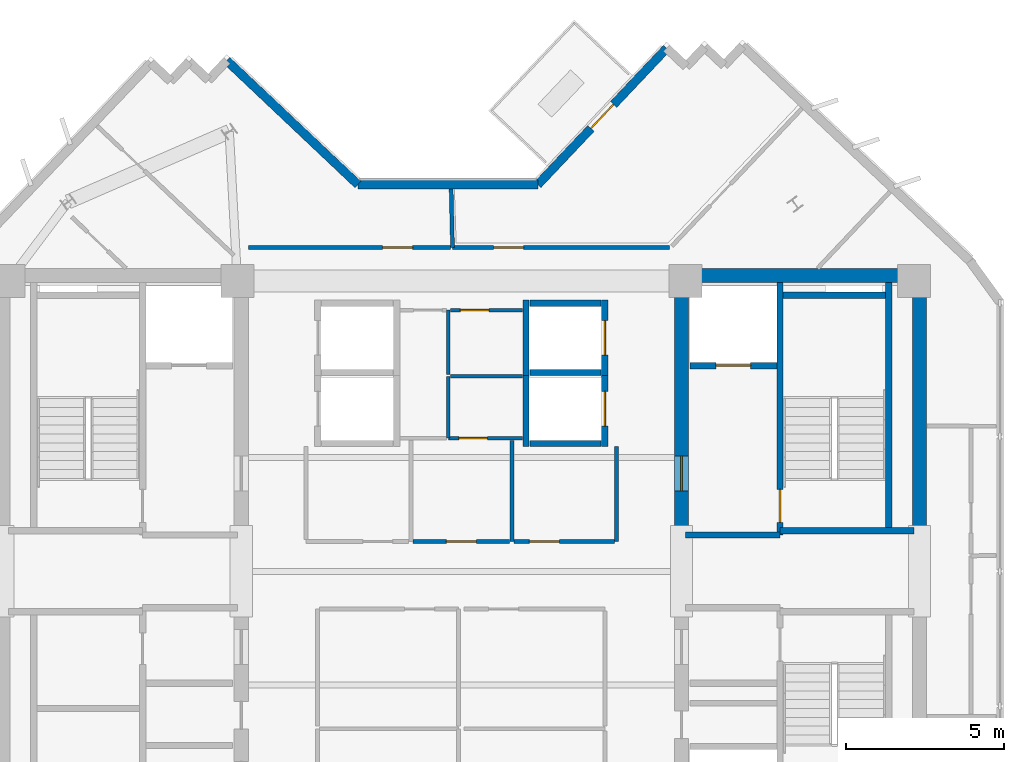
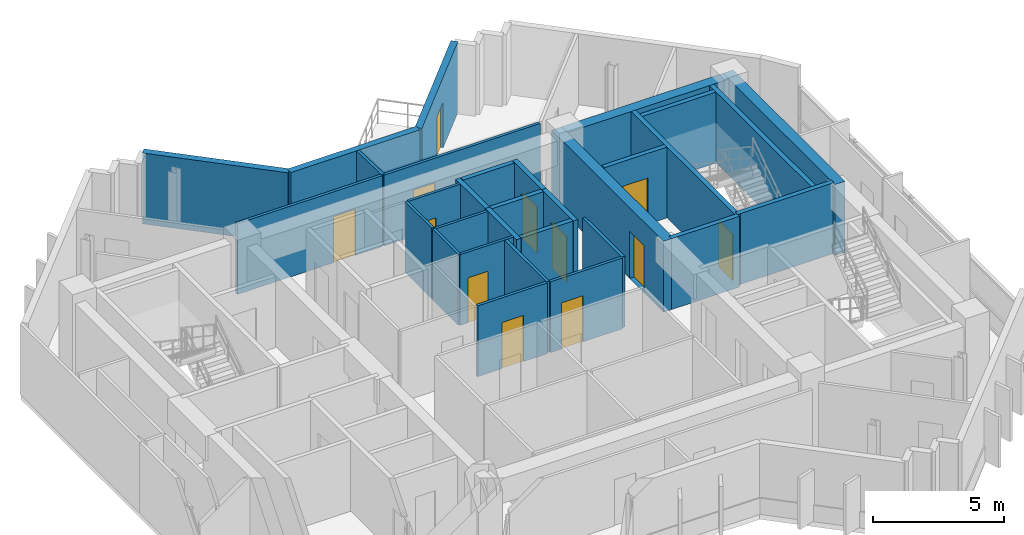
# One storey, part 6 of 9: 31 walls, 12 doors, 12 openings.
"""IFC4 building model written with IfcOpenShell, lengths in metres."""

from ifc_helpers import new_model, si_unit, direction, frame, frame_2d, origin, place, context, subcontext, project, spatial, rectangle, extrude, source, transform, mapped, material, layer, layer_set, type_object, element, fill, save


model = new_model("IFC4")

# Units and contexts
model_context = context("Model", 3, precision=1e-05, world=origin(), true_north=direction((0.0, 1.0)))
body_context = subcontext(model_context, "Body", "Model", "MODEL_VIEW")
ifc_project = project(units=[si_unit("LENGTHUNIT", "METRE"), si_unit("AREAUNIT", "SQUARE_METRE"), si_unit("VOLUMEUNIT", "CUBIC_METRE"), si_unit("PLANEANGLEUNIT", "RADIAN"), si_unit("MASSUNIT", "GRAM", prefix="KILO")], contexts=[model_context])

# Site, building, storey
site_placement = place(None, origin())
site = spatial("IfcSite", under=ifc_project, at=site_placement, CompositionType="ELEMENT")
building_placement = place(site_placement, origin())
building = spatial("IfcBuilding", under=site, at=building_placement, Name="Zahravan Cultural Tower", CompositionType="ELEMENT")
storey_placement = place(building_placement, frame((0.0, 0.0, 310.35009765625)))
storey = spatial("IfcBuildingStorey", under=building, at=storey_placement, Name="L75", CompositionType="ELEMENT", Elevation=310.35009765625)

# Wall, opening, door
ifc_material_1 = material(Name="Concrete C50/60", Category="concrete")
ifc_layer_1 = layer(ifc_material_1, 0.449951171875)
ifc_layer_set_1 = layer_set([ifc_layer_1], Name="Concrete C50/60")
wall_type_1 = type_object("IfcWallType", Name="CW-SHEAR-450-C50", PredefinedType="SHEAR", material=ifc_layer_set_1)
wall_1_placement = place(storey_placement, frame((42.97509765625, 28.050048828125, 0.0), z_axis=(0.0, 0.0, 1.0), x_axis=(0.0, 1.0, 0.0)))
wall_1 = element("IfcWall", 1, at=wall_1_placement, inside=storey, type_object=wall_type_1, Name="L75 Core Shear Wall CW-E-WN-L75", PredefinedType="SHEAR", context=body_context, shape_type="SweptSolid", body=[
    extrude(rectangle(XDim=8.550048828125, YDim=0.449951171875, at=frame_2d((4.27490234375, 0.0))), origin(), (0.0, 0.0, 1.0), 3.2998046875),
])
opening_1_placement = place(wall_1_placement, frame((1.5, 0.0, 0.0)))
opening_1 = element("IfcOpeningElement", 2, at=opening_1_placement, cuts=wall_1, Name="Opening D-L75-07", PredefinedType="OPENING", context=body_context, shape_type="SweptSolid", body=[
    extrude(rectangle(XDim=1.10009765625, YDim=2.199951171875, at=frame_2d((0.550048828125, 1.10009765625))), frame((0.0, 0.23486328125, 0.0), z_axis=(0.0, -1.0, 0.0), x_axis=(1.0, 0.0, 0.0)), (0.0, 0.0, 1.0), 0.469970703125),
])
ifc_material_2 = material(Name="Steel ASTM A572 Grade 50", Category="steel")
door_type_1 = type_object("IfcDoorType", Name="DR-LOBBY-1100", OperationType="NOTDEFINED", PredefinedType="DOOR", material=ifc_material_2)
shared_shape_1 = source(origin(), body_context, "Body", "SweptSolid", [
    extrude(rectangle(XDim=1.10009765625, YDim=2.199951171875, at=frame_2d((0.550048828125, 1.10009765625))), frame((0.0, 0.02490234375, 0.0), z_axis=(0.0, -1.0, 0.0), x_axis=(1.0, 0.0, 0.0)), (0.0, 0.0, 1.0), 0.050048828125),
])
door_1_placement = place(opening_1_placement, origin())
door_1 = element("IfcDoor", 3, at=door_1_placement, inside=storey, type_object=door_type_1, Name="L75 Door D-L75-07", OperationType="SINGLE_SWING_LEFT", OverallHeight=2.199951171875, OverallWidth=1.10009765625, PredefinedType="DOOR", context=body_context, shape_type="MappedRepresentation", body=[
    mapped(shared_shape_1, transform((0.0, 0.0, 0.0), x_axis=(1.0, 0.0, 0.0), y_axis=(0.0, 1.0, 0.0), z_axis=(0.0, 0.0, 1.0), scale=1.0)),
])
fill(opening_1, door_1)

ifc_material_3 = material(Name="Precast concrete C40/50", Category="concrete")
ifc_layer_2 = layer(ifc_material_3, 0.280029296875)
ifc_layer_set_2 = layer_set([ifc_layer_2], Name="Precast concrete C40/50")
wall_type_2 = type_object("IfcWallType", Name="EW-TC-280", PredefinedType="SOLIDWALL", material=ifc_layer_set_2)
wall_2_placement = place(storey_placement, frame((38.423095703125, 39.260009765625, 0.0), z_axis=(0.0, 0.0, 1.0), x_axis=(0.686888766374, 0.72676256276, 0.0)))
wall_2 = element("IfcWall", 4, at=wall_2_placement, inside=storey, type_object=wall_type_2, Name="L75 Exterior Masonry Frame Wall 01", PredefinedType="SOLIDWALL", context=body_context, shape_type="SweptSolid", body=[
    extrude(rectangle(XDim=5.9453125, YDim=0.280029296875, at=frame_2d((2.97265625, 0.0))), origin(), (0.0, 0.0, 1.0), 3.2998046875),
])
opening_2_placement = place(wall_2_placement, frame((2.447998046875, 0.0, 0.0)))
opening_2 = element("IfcOpeningElement", 5, at=opening_2_placement, cuts=wall_2, Name="Opening D-L75-TR-NE", PredefinedType="OPENING", context=body_context, shape_type="SweptSolid", body=[
    extrude(rectangle(XDim=1.050048828125, YDim=2.14990234375, at=frame_2d((0.52490234375, 1.074951171875))), frame((0.0, 0.14990234375, 0.0), z_axis=(0.0, -1.0, 0.0), x_axis=(1.0, 0.0, 0.0)), (0.0, 0.0, 1.0), 0.300048828125),
])
ifc_material_4 = material(Name="Anodised bronze-aluminium mullion", Category="aluminium")
door_type_2 = type_object("IfcDoorType", Name="DR-TERR-1050", OperationType="NOTDEFINED", PredefinedType="DOOR", material=ifc_material_4)
shared_shape_2 = source(origin(), body_context, "Body", "SweptSolid", [
    extrude(rectangle(XDim=1.050048828125, YDim=2.14990234375, at=frame_2d((0.52490234375, 1.074951171875))), frame((0.0, 0.02490234375, 0.0), z_axis=(0.0, -1.0, 0.0), x_axis=(1.0, 0.0, 0.0)), (0.0, 0.0, 1.0), 0.050048828125),
])
door_2_placement = place(opening_2_placement, origin())
door_2 = element("IfcDoor", 6, at=door_2_placement, inside=storey, type_object=door_type_2, Name="L75 Terrace Access Door NE", OperationType="SINGLE_SWING_RIGHT", OverallHeight=2.14990234375, OverallWidth=1.050048828125, PredefinedType="DOOR", context=body_context, shape_type="MappedRepresentation", body=[
    mapped(shared_shape_2, transform((0.0, 0.0, 0.0), x_axis=(1.0, 0.0, 0.0), y_axis=(0.0, 1.0, 0.0), z_axis=(0.0, 0.0, 1.0), scale=1.0)),
])
fill(opening_2, door_2)

ifc_material_5 = material(Name="Gypsum plasterboard partition")
ifc_layer_3 = layer(ifc_material_5, 0.125)
ifc_layer_set_3 = layer_set([ifc_layer_3], Name="Gypsum plasterboard partition")
wall_type_3 = type_object("IfcWallType", Name="W-PART-125", PredefinedType="PARTITIONING", material=ifc_layer_set_3)
wall_3_placement = place(storey_placement, frame((37.532470703125, 27.93994140625, 0.0), z_axis=(0.0, 0.0, 1.0), x_axis=(-1.0, 0.0, 0.0)))
wall_3 = element("IfcWall", 7, at=wall_3_placement, inside=storey, type_object=wall_type_3, Name="L75 Interior Wall 055", PredefinedType="PARTITIONING", context=body_context, shape_type="SweptSolid", body=[
    extrude(rectangle(XDim=3.06494140625, YDim=0.125, at=frame_2d((1.532470703125, 0.0))), origin(), (0.0, 0.0, 1.0), 3.2998046875),
])
opening_3_placement = place(wall_3_placement, frame((1.0576171875, 0.0, 0.0)))
opening_3 = element("IfcOpeningElement", 8, at=opening_3_placement, cuts=wall_3, Name="Opening D-L75-21", PredefinedType="OPENING", context=body_context, shape_type="SweptSolid", body=[
    extrude(rectangle(XDim=0.949951171875, YDim=2.14990234375, at=frame_2d((0.47509765625, 1.074951171875))), frame((0.0, 0.072509765625, 0.0), z_axis=(0.0, -1.0, 0.0), x_axis=(1.0, 0.0, 0.0)), (0.0, 0.0, 1.0), 0.14501953125),
])
door_type_3 = type_object("IfcDoorType", Name="DR-ROOM-950", OperationType="NOTDEFINED", PredefinedType="DOOR", material=ifc_material_4)
shared_shape_3 = source(origin(), body_context, "Body", "SweptSolid", [
    extrude(rectangle(XDim=0.949951171875, YDim=2.14990234375, at=frame_2d((0.47509765625, 1.074951171875))), frame((0.0, 0.02490234375, 0.0), z_axis=(0.0, -1.0, 0.0), x_axis=(1.0, 0.0, 0.0)), (0.0, 0.0, 1.0), 0.050048828125),
])
door_3_placement = place(opening_3_placement, origin())
door_3 = element("IfcDoor", 9, at=door_3_placement, inside=storey, type_object=door_type_3, Name="L75 Door D-L75-21", OperationType="SINGLE_SWING_LEFT", OverallHeight=2.14990234375, OverallWidth=0.949951171875, PredefinedType="DOOR", context=body_context, shape_type="MappedRepresentation", body=[
    mapped(shared_shape_3, transform((0.0, 0.0, 0.0), x_axis=(1.0, 0.0, 0.0), y_axis=(0.0, 1.0, 0.0), z_axis=(0.0, 0.0, 1.0), scale=1.0)),
])
fill(opening_3, door_3)

wall_4_placement = place(storey_placement, frame((40.8525390625, 27.93994140625, 0.0), z_axis=(0.0, 0.0, 1.0), x_axis=(-1.0, 0.0, 0.0)))
wall_4 = element("IfcWall", 10, at=wall_4_placement, inside=storey, type_object=wall_type_3, Name="L75 Interior Wall 059", PredefinedType="PARTITIONING", context=body_context, shape_type="SweptSolid", body=[
    extrude(rectangle(XDim=3.18505859375, YDim=0.125, at=frame_2d((1.592529296875, 0.0))), origin(), (0.0, 0.0, 1.0), 3.2998046875),
])
opening_4_placement = place(wall_4_placement, frame((1.743408203125, 0.0, 0.0)))
opening_4 = element("IfcOpeningElement", 11, at=opening_4_placement, cuts=wall_4, Name="Opening D-L75-22", PredefinedType="OPENING", context=body_context, shape_type="SweptSolid", body=[
    extrude(rectangle(XDim=0.949951171875, YDim=2.14990234375, at=frame_2d((0.47509765625, 1.074951171875))), frame((0.0, 0.072509765625, 0.0), z_axis=(0.0, -1.0, 0.0), x_axis=(1.0, 0.0, 0.0)), (0.0, 0.0, 1.0), 0.14501953125),
])
door_4_placement = place(opening_4_placement, origin())
door_4 = element("IfcDoor", 12, at=door_4_placement, inside=storey, type_object=door_type_3, Name="L75 Door D-L75-22", OperationType="SINGLE_SWING_RIGHT", OverallHeight=2.14990234375, OverallWidth=0.949951171875, PredefinedType="DOOR", context=body_context, shape_type="MappedRepresentation", body=[
    mapped(shared_shape_3, transform((0.0, 0.0, 0.0), x_axis=(1.0, 0.0, 0.0), y_axis=(0.0, 1.0, 0.0), z_axis=(0.0, 0.0, 1.0), scale=1.0)),
])
fill(opening_4, door_4)

wall_5_placement = place(storey_placement, frame((35.65283203125, 37.260009765625, 0.0), z_axis=(0.0, 0.0, 1.0), x_axis=(-0.999999997089, -7.6303842e-05, 0.0)))
wall_5 = element("IfcWall", 13, at=wall_5_placement, inside=storey, type_object=wall_type_3, Name="L75 Interior Wall 091", PredefinedType="PARTITIONING", context=body_context, shape_type="SweptSolid", body=[
    extrude(rectangle(XDim=6.399169921875, YDim=0.125, at=frame_2d((3.19970703125, 0.0))), origin(), (0.0, 0.0, 1.0), 3.2998046875),
])
opening_5_placement = place(wall_5_placement, frame((1.19873046875, 0.0, 0.0)))
opening_5 = element("IfcOpeningElement", 14, at=opening_5_placement, cuts=wall_5, Name="Opening D-L75-25", PredefinedType="OPENING", context=body_context, shape_type="SweptSolid", body=[
    extrude(rectangle(XDim=0.949951171875, YDim=2.14990234375, at=frame_2d((0.47509765625, 1.074951171875))), frame((0.0, 0.072509765625, 0.0), z_axis=(0.0, -1.0, 0.0), x_axis=(1.0, 0.0, 0.0)), (0.0, 0.0, 1.0), 0.14501953125),
])
door_5_placement = place(opening_5_placement, origin())
door_5 = element("IfcDoor", 15, at=door_5_placement, inside=storey, type_object=door_type_3, Name="L75 Door D-L75-25", OperationType="SINGLE_SWING_LEFT", OverallHeight=2.14990234375, OverallWidth=0.949951171875, PredefinedType="DOOR", context=body_context, shape_type="MappedRepresentation", body=[
    mapped(shared_shape_3, transform((0.0, 0.0, 0.0), x_axis=(1.0, 0.0, 0.0), y_axis=(0.0, 1.0, 0.0), z_axis=(0.0, 0.0, 1.0), scale=1.0)),
])
fill(opening_5, door_5)

wall_6_placement = place(storey_placement, frame((42.600830078125, 37.260009765625, 0.0), z_axis=(0.0, 0.0, 1.0), x_axis=(-1.0, 0.0, 0.0)))
wall_6 = element("IfcWall", 16, at=wall_6_placement, inside=storey, type_object=wall_type_3, Name="L75 Interior Wall 094", PredefinedType="PARTITIONING", context=body_context, shape_type="SweptSolid", body=[
    extrude(rectangle(XDim=6.880615234375, YDim=0.125, at=frame_2d((3.4404296875, 0.0))), origin(), (0.0, 0.0, 1.0), 3.2998046875),
])
opening_6_placement = place(wall_6_placement, frame((4.6259765625, 0.0, 0.0)))
opening_6 = element("IfcOpeningElement", 17, at=opening_6_placement, cuts=wall_6, Name="Opening D-L75-24", PredefinedType="OPENING", context=body_context, shape_type="SweptSolid", body=[
    extrude(rectangle(XDim=0.949951171875, YDim=2.14990234375, at=frame_2d((0.47509765625, 1.074951171875))), frame((0.0, 0.072509765625, 0.0), z_axis=(0.0, -1.0, 0.0), x_axis=(1.0, 0.0, 0.0)), (0.0, 0.0, 1.0), 0.14501953125),
])
door_6_placement = place(opening_6_placement, origin())
door_6 = element("IfcDoor", 18, at=door_6_placement, inside=storey, type_object=door_type_3, Name="L75 Door D-L75-24", OperationType="SINGLE_SWING_RIGHT", OverallHeight=2.14990234375, OverallWidth=0.949951171875, PredefinedType="DOOR", context=body_context, shape_type="MappedRepresentation", body=[
    mapped(shared_shape_3, transform((0.0, 0.0, 0.0), x_axis=(1.0, 0.0, 0.0), y_axis=(0.0, 1.0, 0.0), z_axis=(0.0, 0.0, 1.0), scale=1.0)),
])
fill(opening_6, door_6)

ifc_material_6 = material(Name="Concrete C45/55", Category="concrete")
ifc_layer_4 = layer(ifc_material_6, 0.199951171875)
ifc_layer_set_4 = layer_set([ifc_layer_4], Name="Concrete C45/55")
wall_type_4 = type_object("IfcWallType", Name="W-SHAFT-200", PredefinedType="SOLIDWALL", material=ifc_layer_set_4)
wall_7_placement = place(storey_placement, frame((46.10009765625, 28.14990234375, 0.0), z_axis=(0.0, 0.0, 1.0), x_axis=(0.0, 1.0, 0.0)))
wall_7 = element("IfcWall", 19, at=wall_7_placement, inside=storey, type_object=wall_type_4, Name="L75 Interior Wall 008", PredefinedType="SOLIDWALL", context=body_context, shape_type="SweptSolid", body=[
    extrude(rectangle(XDim=8.0, YDim=0.199951171875, at=frame_2d((4.0, 0.0))), origin(), (0.0, 0.0, 1.0), 3.2998046875),
])
opening_7_placement = place(wall_7_placement, frame((0.39990234375, 0.0, 0.0)))
opening_7 = element("IfcOpeningElement", 20, at=opening_7_placement, cuts=wall_7, Name="Opening D-L75-02", PredefinedType="OPENING", context=body_context, shape_type="SweptSolid", body=[
    extrude(rectangle(XDim=1.050048828125, YDim=2.14990234375, at=frame_2d((0.52490234375, 1.074951171875))), frame((0.0, 0.10986328125, 0.0), z_axis=(0.0, -1.0, 0.0), x_axis=(1.0, 0.0, 0.0)), (0.0, 0.0, 1.0), 0.219970703125),
])
door_type_4 = type_object("IfcDoorType", Name="DR-STAIR-1050", OperationType="NOTDEFINED", PredefinedType="DOOR", material=ifc_material_2)
door_7_placement = place(opening_7_placement, origin())
door_7 = element("IfcDoor", 21, at=door_7_placement, inside=storey, type_object=door_type_4, Name="L75 Door D-L75-02", OperationType="SINGLE_SWING_RIGHT", OverallHeight=2.14990234375, OverallWidth=1.050048828125, PredefinedType="DOOR", context=body_context, shape_type="MappedRepresentation", body=[
    mapped(shared_shape_2, transform((0.0, 0.0, 0.0), x_axis=(1.0, 0.0, 0.0), y_axis=(0.0, 1.0, 0.0), z_axis=(0.0, 0.0, 1.0), scale=1.0)),
])
fill(opening_7, door_7)

wall_8_placement = place(storey_placement, frame((43.25, 33.52001953125, 0.0), z_axis=(0.0, 0.0, 1.0), x_axis=(1.0, 0.0, 0.0)))
wall_8 = element("IfcWall", 22, at=wall_8_placement, inside=storey, type_object=wall_type_4, Name="L75 Interior Wall 023", PredefinedType="SOLIDWALL", context=body_context, shape_type="SweptSolid", body=[
    extrude(rectangle(XDim=2.75, YDim=0.199951171875, at=frame_2d((1.375, 0.0))), origin(), (0.0, 0.0, 1.0), 3.2998046875),
])
opening_8_placement = place(wall_8_placement, frame((0.820068359375, 0.0, 0.0)))
opening_8 = element("IfcOpeningElement", 23, at=opening_8_placement, cuts=wall_8, Name="Opening LD-L75-02", PredefinedType="OPENING", context=body_context, shape_type="SweptSolid", body=[
    extrude(rectangle(XDim=1.10009765625, YDim=2.14990234375, at=frame_2d((0.550048828125, 1.074951171875))), frame((0.0, 0.10986328125, 0.0), z_axis=(0.0, -1.0, 0.0), x_axis=(1.0, 0.0, 0.0)), (0.0, 0.0, 1.0), 0.219970703125),
])
door_type_5 = type_object("IfcDoorType", Name="DR-LIFT-1100", OperationType="DOUBLE_DOOR_SLIDING", PredefinedType="DOOR", material=ifc_material_2)
shared_shape_4 = source(origin(), body_context, "Body", "SweptSolid", [
    extrude(rectangle(XDim=1.10009765625, YDim=2.14990234375, at=frame_2d((0.550048828125, 1.074951171875))), frame((0.0, 0.02490234375, 0.0), z_axis=(0.0, -1.0, 0.0), x_axis=(1.0, 0.0, 0.0)), (0.0, 0.0, 1.0), 0.050048828125),
])
door_8_placement = place(opening_8_placement, origin())
door_8 = element("IfcDoor", 24, at=door_8_placement, inside=storey, type_object=door_type_5, Name="L75 Door LD-L75-02", OperationType="DOUBLE_DOOR_SLIDING", OverallHeight=2.14990234375, OverallWidth=1.10009765625, PredefinedType="DOOR", context=body_context, shape_type="MappedRepresentation", body=[
    mapped(shared_shape_4, transform((0.0, 0.0, 0.0), x_axis=(1.0, 0.0, 0.0), y_axis=(0.0, 1.0, 0.0), z_axis=(0.0, 0.0, 1.0), scale=1.0)),
])
fill(opening_8, door_8)

wall_9_placement = place(storey_placement, frame((40.550048828125, 33.199951171875, 0.0), z_axis=(0.0, 0.0, 1.0), x_axis=(0.0, 1.0, 0.0)))
wall_9 = element("IfcWall", 25, at=wall_9_placement, inside=storey, type_object=wall_type_4, Name="L75 Interior Wall 038", PredefinedType="SOLIDWALL", context=body_context, shape_type="SweptSolid", body=[
    extrude(rectangle(XDim=2.400146484375, YDim=0.199951171875, at=frame_2d((1.2001953125, 0.0))), origin(), (0.0, 0.0, 1.0), 3.2998046875),
])
opening_9_placement = place(wall_9_placement, frame((0.64990234375, 0.0, 0.0)))
opening_9 = element("IfcOpeningElement", 26, at=opening_9_placement, cuts=wall_9, Name="Opening LD-L75-06", PredefinedType="OPENING", context=body_context, shape_type="SweptSolid", body=[
    extrude(rectangle(XDim=1.10009765625, YDim=2.14990234375, at=frame_2d((0.550048828125, 1.074951171875))), frame((0.0, 0.10986328125, 0.0), z_axis=(0.0, -1.0, 0.0), x_axis=(1.0, 0.0, 0.0)), (0.0, 0.0, 1.0), 0.219970703125),
])
door_9_placement = place(opening_9_placement, origin())
door_9 = element("IfcDoor", 27, at=door_9_placement, inside=storey, type_object=door_type_5, Name="L75 Door LD-L75-06", OperationType="DOUBLE_DOOR_SLIDING", OverallHeight=2.14990234375, OverallWidth=1.10009765625, PredefinedType="DOOR", context=body_context, shape_type="MappedRepresentation", body=[
    mapped(shared_shape_4, transform((0.0, 0.0, 0.0), x_axis=(1.0, 0.0, 0.0), y_axis=(0.0, 1.0, 0.0), z_axis=(0.0, 0.0, 1.0), scale=1.0)),
])
fill(opening_9, door_9)

wall_10_placement = place(storey_placement, frame((40.550048828125, 30.949951171875, 0.0), z_axis=(0.0, 0.0, 1.0), x_axis=(0.0, 1.0, 0.0)))
wall_10 = element("IfcWall", 28, at=wall_10_placement, inside=storey, type_object=wall_type_4, Name="L75 Interior Wall 042", PredefinedType="SOLIDWALL", context=body_context, shape_type="SweptSolid", body=[
    extrude(rectangle(XDim=2.400146484375, YDim=0.199951171875, at=frame_2d((1.2001953125, 0.0))), origin(), (0.0, 0.0, 1.0), 3.2998046875),
])
opening_10_placement = place(wall_10_placement, frame((0.64990234375, 0.0, 0.0)))
opening_10 = element("IfcOpeningElement", 29, at=opening_10_placement, cuts=wall_10, Name="Opening LD-L75-07", PredefinedType="OPENING", context=body_context, shape_type="SweptSolid", body=[
    extrude(rectangle(XDim=1.10009765625, YDim=2.14990234375, at=frame_2d((0.550048828125, 1.074951171875))), frame((0.0, 0.10986328125, 0.0), z_axis=(0.0, -1.0, 0.0), x_axis=(1.0, 0.0, 0.0)), (0.0, 0.0, 1.0), 0.219970703125),
])
door_10_placement = place(opening_10_placement, origin())
door_10 = element("IfcDoor", 30, at=door_10_placement, inside=storey, type_object=door_type_5, Name="L75 Door LD-L75-07", OperationType="DOUBLE_DOOR_SLIDING", OverallHeight=2.14990234375, OverallWidth=1.10009765625, PredefinedType="DOOR", context=body_context, shape_type="MappedRepresentation", body=[
    mapped(shared_shape_4, transform((0.0, 0.0, 0.0), x_axis=(1.0, 0.0, 0.0), y_axis=(0.0, 1.0, 0.0), z_axis=(0.0, 0.0, 1.0), scale=1.0)),
])
fill(opening_10, door_10)

ifc_layer_5 = layer(ifc_material_5, 0.114990234375)
ifc_layer_set_5 = layer_set([ifc_layer_5], Name="Gypsum plasterboard partition")
wall_type_5 = type_object("IfcWallType", Name="W-WC-115", PredefinedType="PARTITIONING", material=ifc_layer_set_5)
wall_11_placement = place(storey_placement, frame((37.945068359375, 31.219970703125, 0.0), z_axis=(0.0, 0.0, 1.0), x_axis=(-1.0, 0.0, 0.0)))
wall_11 = element("IfcWall", 31, at=wall_11_placement, inside=storey, type_object=wall_type_5, Name="L75 Interior Wall 044", PredefinedType="PARTITIONING", context=body_context, shape_type="SweptSolid", body=[
    extrude(rectangle(XDim=2.35498046875, YDim=0.114990234375, at=frame_2d((1.177490234375, 0.0))), origin(), (0.0, 0.0, 1.0), 3.2998046875),
])
opening_11_placement = place(wall_11_placement, frame((1.120849609375, 0.0, 0.0)))
opening_11 = element("IfcOpeningElement", 32, at=opening_11_placement, cuts=wall_11, Name="Opening D-L75-31", PredefinedType="OPENING", context=body_context, shape_type="SweptSolid", body=[
    extrude(rectangle(XDim=0.89990234375, YDim=2.10009765625, at=frame_2d((0.449951171875, 1.050048828125))), frame((0.0, 0.0673828125, 0.0), z_axis=(0.0, -1.0, 0.0), x_axis=(1.0, 0.0, 0.0)), (0.0, 0.0, 1.0), 0.135009765625),
])
door_type_6 = type_object("IfcDoorType", Name="DR-WC-900", OperationType="NOTDEFINED", PredefinedType="DOOR", material=ifc_material_4)
shared_shape_5 = source(origin(), body_context, "Body", "SweptSolid", [
    extrude(rectangle(XDim=0.89990234375, YDim=2.10009765625, at=frame_2d((0.449951171875, 1.050048828125))), frame((0.0, 0.02490234375, 0.0), z_axis=(0.0, -1.0, 0.0), x_axis=(1.0, 0.0, 0.0)), (0.0, 0.0, 1.0), 0.050048828125),
])
door_11_placement = place(opening_11_placement, origin())
door_11 = element("IfcDoor", 33, at=door_11_placement, inside=storey, type_object=door_type_6, Name="L75 Door D-L75-31", OperationType="SINGLE_SWING_LEFT", OverallHeight=2.10009765625, OverallWidth=0.89990234375, PredefinedType="DOOR", context=body_context, shape_type="MappedRepresentation", body=[
    mapped(shared_shape_5, transform((0.0, 0.0, 0.0), x_axis=(1.0, 0.0, 0.0), y_axis=(0.0, 1.0, 0.0), z_axis=(0.0, 0.0, 1.0), scale=1.0)),
])
fill(opening_11, door_11)

wall_12_placement = place(storey_placement, frame((35.652587890625, 35.280029296875, 0.0), z_axis=(0.0, 0.0, 1.0), x_axis=(1.0, 0.0, 0.0)))
wall_12 = element("IfcWall", 34, at=wall_12_placement, inside=storey, type_object=wall_type_5, Name="L75 Interior Wall 048", PredefinedType="PARTITIONING", context=body_context, shape_type="SweptSolid", body=[
    extrude(rectangle(XDim=2.29248046875, YDim=0.114990234375, at=frame_2d((1.146240234375, 0.0))), origin(), (0.0, 0.0, 1.0), 3.2998046875),
])
opening_12_placement = place(wall_12_placement, frame((0.3203125, 0.0, 0.0)))
opening_12 = element("IfcOpeningElement", 35, at=opening_12_placement, cuts=wall_12, Name="Opening D-L75-19", PredefinedType="OPENING", context=body_context, shape_type="SweptSolid", body=[
    extrude(rectangle(XDim=0.89990234375, YDim=2.10009765625, at=frame_2d((0.449951171875, 1.050048828125))), frame((0.0, 0.0673828125, 0.0), z_axis=(0.0, -1.0, 0.0), x_axis=(1.0, 0.0, 0.0)), (0.0, 0.0, 1.0), 0.135009765625),
])
door_12_placement = place(opening_12_placement, origin())
door_12 = element("IfcDoor", 36, at=door_12_placement, inside=storey, type_object=door_type_6, Name="L75 Door D-L75-19", OperationType="SINGLE_SWING_LEFT", OverallHeight=2.10009765625, OverallWidth=0.89990234375, PredefinedType="DOOR", context=body_context, shape_type="MappedRepresentation", body=[
    mapped(shared_shape_5, transform((0.0, 0.0, 0.0), x_axis=(1.0, 0.0, 0.0), y_axis=(0.0, 1.0, 0.0), z_axis=(0.0, 0.0, 1.0), scale=1.0)),
])
fill(opening_12, door_12)

# Walls
shared_shape_6 = source(origin(), body_context, "Body", "SweptSolid", [
    extrude(rectangle(XDim=8.550048828125, YDim=0.449951171875, at=frame_2d((4.27490234375, 0.0))), origin(), (0.0, 0.0, 1.0), 3.2998046875),
])
wall_13_placement = place(storey_placement, frame((50.52490234375, 28.050048828125, 0.0), z_axis=(0.0, 0.0, 1.0), x_axis=(0.0, 1.0, 0.0)))
element("IfcWall", 37, at=wall_13_placement, inside=storey, type_object=wall_type_1, Name="L75 Core Shear Wall CW-E-EN-L75", PredefinedType="SHEAR", context=body_context, shape_type="MappedRepresentation", body=[
    mapped(shared_shape_6, transform((0.0, 0.0, 0.0), x_axis=(1.0, 0.0, 0.0), y_axis=(0.0, 1.0, 0.0), z_axis=(0.0, 0.0, 1.0), scale=1.0)),
])
shared_shape_7 = source(origin(), body_context, "Body", "SweptSolid", [
    extrude(rectangle(XDim=7.10009765625, YDim=0.449951171875, at=frame_2d((3.550048828125, 0.0))), origin(), (0.0, 0.0, 1.0), 3.2998046875),
])
wall_14_placement = place(storey_placement, frame((43.199951171875, 36.375, 0.0), z_axis=(0.0, 0.0, 1.0), x_axis=(1.0, 0.0, 0.0)))
element("IfcWall", 38, at=wall_14_placement, inside=storey, type_object=wall_type_1, Name="L75 Core Shear Wall CW-E-N-L75", PredefinedType="SHEAR", context=body_context, shape_type="MappedRepresentation", body=[
    mapped(shared_shape_7, transform((0.0, 0.0, 0.0), x_axis=(1.0, 0.0, 0.0), y_axis=(0.0, 1.0, 0.0), z_axis=(0.0, 0.0, 1.0), scale=1.0)),
])
shared_shape_8 = source(origin(), body_context, "Body", "SweptSolid", [
    extrude(rectangle(XDim=5.7177734375, YDim=0.280029296875, at=frame_2d((2.85888671875, 0.0))), origin(), (0.0, 0.0, 1.0), 3.2998046875),
])
wall_15_placement = place(storey_placement, frame((28.568359375, 43.1875, 0.0), z_axis=(0.0, 0.0, 1.0), x_axis=(0.726765623086, -0.686885528382, 0.0)))
element("IfcWall", 39, at=wall_15_placement, inside=storey, type_object=wall_type_2, Name="L75 Exterior Masonry Frame Wall 27", PredefinedType="SOLIDWALL", context=body_context, shape_type="MappedRepresentation", body=[
    mapped(shared_shape_8, transform((0.0, 0.0, 0.0), x_axis=(1.0, 0.0, 0.0), y_axis=(0.0, 1.0, 0.0), z_axis=(0.0, 0.0, 1.0), scale=1.0)),
])
shared_shape_9 = source(origin(), body_context, "Body", "SweptSolid", [
    extrude(rectangle(XDim=5.69921875, YDim=0.280029296875, at=frame_2d((2.849609375, 0.0))), origin(), (0.0, 0.0, 1.0), 3.2998046875),
])
wall_16_placement = place(storey_placement, frame((32.723876953125, 39.260009765625, 0.0), z_axis=(0.0, 0.0, 1.0), x_axis=(1.0, 0.0, 0.0)))
element("IfcWall", 40, at=wall_16_placement, inside=storey, type_object=wall_type_2, Name="L75 Exterior Masonry Frame Wall 28", PredefinedType="SOLIDWALL", context=body_context, shape_type="MappedRepresentation", body=[
    mapped(shared_shape_9, transform((0.0, 0.0, 0.0), x_axis=(1.0, 0.0, 0.0), y_axis=(0.0, 1.0, 0.0), z_axis=(0.0, 0.0, 1.0), scale=1.0)),
])
shared_shape_10 = source(origin(), body_context, "Body", "SweptSolid", [
    extrude(rectangle(XDim=7.869873046875, YDim=0.199951171875, at=frame_2d((3.93505859375, 0.0))), origin(), (0.0, 0.0, 1.0), 3.2998046875),
])
wall_17_placement = place(storey_placement, frame((49.550048828125, 28.280029296875, 0.0), z_axis=(0.0, 0.0, 1.0), x_axis=(0.0, 1.0, 0.0)))
element("IfcWall", 41, at=wall_17_placement, inside=storey, type_object=wall_type_4, Name="L75 Interior Wall 004", PredefinedType="SOLIDWALL", context=body_context, shape_type="MappedRepresentation", body=[
    mapped(shared_shape_10, transform((0.0, 0.0, 0.0), x_axis=(1.0, 0.0, 0.0), y_axis=(0.0, 1.0, 0.0), z_axis=(0.0, 0.0, 1.0), scale=1.0)),
])
shared_shape_11 = source(origin(), body_context, "Body", "SweptSolid", [
    extrude(rectangle(XDim=4.25, YDim=0.199951171875, at=frame_2d((2.125, 0.0))), origin(), (0.0, 0.0, 1.0), 3.2998046875),
])
wall_18_placement = place(storey_placement, frame((46.10009765625, 28.284912109375, 0.0), z_axis=(0.0, 0.0, 1.0), x_axis=(1.0, 0.0, 0.0)))
element("IfcWall", 42, at=wall_18_placement, inside=storey, type_object=wall_type_4, Name="L75 Interior Wall 016", PredefinedType="SOLIDWALL", context=body_context, shape_type="MappedRepresentation", body=[
    mapped(shared_shape_11, transform((0.0, 0.0, 0.0), x_axis=(1.0, 0.0, 0.0), y_axis=(0.0, 1.0, 0.0), z_axis=(0.0, 0.0, 1.0), scale=1.0)),
])
shared_shape_12 = source(origin(), body_context, "Body", "SweptSolid", [
    extrude(rectangle(XDim=3.0, YDim=0.199951171875, at=frame_2d((1.5, 0.0))), origin(), (0.0, 0.0, 1.0), 3.2998046875),
])
wall_19_placement = place(storey_placement, frame((43.10009765625, 28.14990234375, 0.0), z_axis=(0.0, 0.0, 1.0), x_axis=(1.0, 0.0, 0.0)))
element("IfcWall", 43, at=wall_19_placement, inside=storey, type_object=wall_type_4, Name="L75 Interior Wall 015", PredefinedType="SOLIDWALL", context=body_context, shape_type="MappedRepresentation", body=[
    mapped(shared_shape_12, transform((0.0, 0.0, 0.0), x_axis=(1.0, 0.0, 0.0), y_axis=(0.0, 1.0, 0.0), z_axis=(0.0, 0.0, 1.0), scale=1.0)),
])
shared_shape_13 = source(origin(), body_context, "Body", "SweptSolid", [
    extrude(rectangle(XDim=3.25, YDim=0.199951171875, at=frame_2d((1.625, 0.0))), origin(), (0.0, 0.0, 1.0), 3.2998046875),
])
wall_20_placement = place(storey_placement, frame((46.199951171875, 35.75, 0.0), z_axis=(0.0, 0.0, 1.0), x_axis=(1.0, 0.0, 0.0)))
element("IfcWall", 44, at=wall_20_placement, inside=storey, type_object=wall_type_4, Name="L75 Interior Wall 018", PredefinedType="SOLIDWALL", context=body_context, shape_type="MappedRepresentation", body=[
    mapped(shared_shape_13, transform((0.0, 0.0, 0.0), x_axis=(1.0, 0.0, 0.0), y_axis=(0.0, 1.0, 0.0), z_axis=(0.0, 0.0, 1.0), scale=1.0)),
])
shared_shape_14 = source(origin(), body_context, "Body", "SweptSolid", [
    extrude(rectangle(XDim=2.400146484375, YDim=0.199951171875, at=frame_2d((1.2001953125, 0.0))), origin(), (0.0, 0.0, 1.0), 3.2998046875),
])
for number, where, z_axis, x_axis, name in (
    (45, (38.050048828125, 33.199951171875, 0.0), (0.0, 0.0, 1.0), (0.0, 1.0, 0.0), "L75 Interior Wall 037"),
    (46, (38.050048828125, 30.949951171875, 0.0), (0.0, 0.0, 1.0), (0.0, 1.0, 0.0), "L75 Interior Wall 041"),
):
    element("IfcWall", number, at=place(storey_placement, frame(where, z_axis=z_axis, x_axis=x_axis)), inside=storey, type_object=wall_type_4, Name=name, PredefinedType="SOLIDWALL", context=body_context, shape_type="MappedRepresentation", body=[
        mapped(shared_shape_14, transform((0.0, 0.0, 0.0), x_axis=(1.0, 0.0, 0.0), y_axis=(0.0, 1.0, 0.0), z_axis=(0.0, 0.0, 1.0), scale=1.0)),
    ])
shared_shape_15 = source(origin(), body_context, "Body", "SweptSolid", [
    extrude(rectangle(XDim=2.260009765625, YDim=0.199951171875, at=frame_2d((1.1298828125, 0.0))), origin(), (0.0, 0.0, 1.0), 3.2998046875),
])
for number, where, z_axis, x_axis, name in (
    (47, (38.169921875, 33.300048828125, 0.0), (0.0, 0.0, 1.0), (1.0, 0.0, 0.0), "L75 Interior Wall 039"),
    (48, (38.169921875, 35.5, 0.0), (0.0, 0.0, 1.0), (1.0, 0.0, 0.0), "L75 Interior Wall 040"),
    (49, (38.169921875, 31.050048828125, 0.0), (0.0, 0.0, 1.0), (1.0, 0.0, 0.0), "L75 Interior Wall 043"),
):
    element("IfcWall", number, at=place(storey_placement, frame(where, z_axis=z_axis, x_axis=x_axis)), inside=storey, type_object=wall_type_4, Name=name, PredefinedType="SOLIDWALL", context=body_context, shape_type="MappedRepresentation", body=[
        mapped(shared_shape_15, transform((0.0, 0.0, 0.0), x_axis=(1.0, 0.0, 0.0), y_axis=(0.0, 1.0, 0.0), z_axis=(0.0, 0.0, 1.0), scale=1.0)),
    ])
shared_shape_16 = source(origin(), body_context, "Body", "SweptSolid", [
    extrude(rectangle(XDim=1.9599609375, YDim=0.114990234375, at=frame_2d((0.97998046875, 0.0))), origin(), (0.0, 0.0, 1.0), 3.2998046875),
])
wall_21_placement = place(storey_placement, frame((35.590087890625, 31.219970703125, 0.0), z_axis=(0.0, 0.0, 1.0), x_axis=(0.0, 1.0, 0.0)))
element("IfcWall", 50, at=wall_21_placement, inside=storey, type_object=wall_type_5, Name="L75 Interior Wall 045", PredefinedType="PARTITIONING", context=body_context, shape_type="MappedRepresentation", body=[
    mapped(shared_shape_16, transform((0.0, 0.0, 0.0), x_axis=(1.0, 0.0, 0.0), y_axis=(0.0, 1.0, 0.0), z_axis=(0.0, 0.0, 1.0), scale=1.0)),
])
shared_shape_17 = source(origin(), body_context, "Body", "SweptSolid", [
    extrude(rectangle(XDim=2.29248046875, YDim=0.114990234375, at=frame_2d((1.146240234375, 0.0))), origin(), (0.0, 0.0, 1.0), 3.2998046875),
])
wall_22_placement = place(storey_placement, frame((35.652587890625, 33.179931640625, 0.0), z_axis=(0.0, 0.0, 1.0), x_axis=(1.0, 0.0, 0.0)))
element("IfcWall", 51, at=wall_22_placement, inside=storey, type_object=wall_type_5, Name="L75 Interior Wall 046", PredefinedType="PARTITIONING", context=body_context, shape_type="MappedRepresentation", body=[
    mapped(shared_shape_17, transform((0.0, 0.0, 0.0), x_axis=(1.0, 0.0, 0.0), y_axis=(0.0, 1.0, 0.0), z_axis=(0.0, 0.0, 1.0), scale=1.0)),
])
shared_shape_18 = source(origin(), body_context, "Body", "SweptSolid", [
    extrude(rectangle(XDim=2.0400390625, YDim=0.114990234375, at=frame_2d((1.02001953125, 0.0))), origin(), (0.0, 0.0, 1.0), 3.2998046875),
])
wall_23_placement = place(storey_placement, frame((35.590087890625, 33.239990234375, 0.0), z_axis=(0.0, 0.0, 1.0), x_axis=(0.0, 1.0, 0.0)))
element("IfcWall", 52, at=wall_23_placement, inside=storey, type_object=wall_type_5, Name="L75 Interior Wall 047", PredefinedType="PARTITIONING", context=body_context, shape_type="MappedRepresentation", body=[
    mapped(shared_shape_18, transform((0.0, 0.0, 0.0), x_axis=(1.0, 0.0, 0.0), y_axis=(0.0, 1.0, 0.0), z_axis=(0.0, 0.0, 1.0), scale=1.0)),
])
shared_shape_19 = source(origin(), body_context, "Body", "SweptSolid", [
    extrude(rectangle(XDim=3.199951171875, YDim=0.125, at=frame_2d((1.60009765625, 0.0))), origin(), (0.0, 0.0, 1.0), 3.2998046875),
])
wall_24_placement = place(storey_placement, frame((37.60009765625, 31.139892578125, 0.0), z_axis=(0.0, 0.0, 1.0), x_axis=(0.0, -1.0, 0.0)))
element("IfcWall", 53, at=wall_24_placement, inside=storey, type_object=wall_type_3, Name="L75 Interior Wall 054", PredefinedType="PARTITIONING", context=body_context, shape_type="MappedRepresentation", body=[
    mapped(shared_shape_19, transform((0.0, 0.0, 0.0), x_axis=(1.0, 0.0, 0.0), y_axis=(0.0, 1.0, 0.0), z_axis=(0.0, 0.0, 1.0), scale=1.0)),
])
shared_shape_20 = source(origin(), body_context, "Body", "SweptSolid", [
    extrude(rectangle(XDim=3.010009765625, YDim=0.125, at=frame_2d((1.5048828125, 0.0))), origin(), (0.0, 0.0, 1.0), 3.2998046875),
])
wall_25_placement = place(storey_placement, frame((40.919921875, 30.949951171875, 0.0), z_axis=(0.0, 0.0, 1.0), x_axis=(0.0, -1.0, 0.0)))
element("IfcWall", 54, at=wall_25_placement, inside=storey, type_object=wall_type_3, Name="L75 Interior Wall 058", PredefinedType="PARTITIONING", context=body_context, shape_type="MappedRepresentation", body=[
    mapped(shared_shape_20, transform((0.0, 0.0, 0.0), x_axis=(1.0, 0.0, 0.0), y_axis=(0.0, 1.0, 0.0), z_axis=(0.0, 0.0, 1.0), scale=1.0)),
])
shared_shape_21 = source(origin(), body_context, "Body", "SweptSolid", [
    extrude(rectangle(XDim=1.85546875, YDim=0.125, at=frame_2d((0.927734375, 0.0))), origin(), (0.0, 0.0, 1.0), 3.2998046875),
])
wall_26_placement = place(storey_placement, frame((35.6767578125, 39.114990234375, 0.0), z_axis=(0.0, 0.0, 1.0), x_axis=(0.023420791501, -0.999725695641, 0.0)))
element("IfcWall", 55, at=wall_26_placement, inside=storey, type_object=wall_type_3, Name="L75 Interior Wall 090", PredefinedType="PARTITIONING", context=body_context, shape_type="MappedRepresentation", body=[
    mapped(shared_shape_21, transform((0.0, 0.0, 0.0), x_axis=(1.0, 0.0, 0.0), y_axis=(0.0, 1.0, 0.0), z_axis=(0.0, 0.0, 1.0), scale=1.0)),
])

save(model, "model.ifc")
